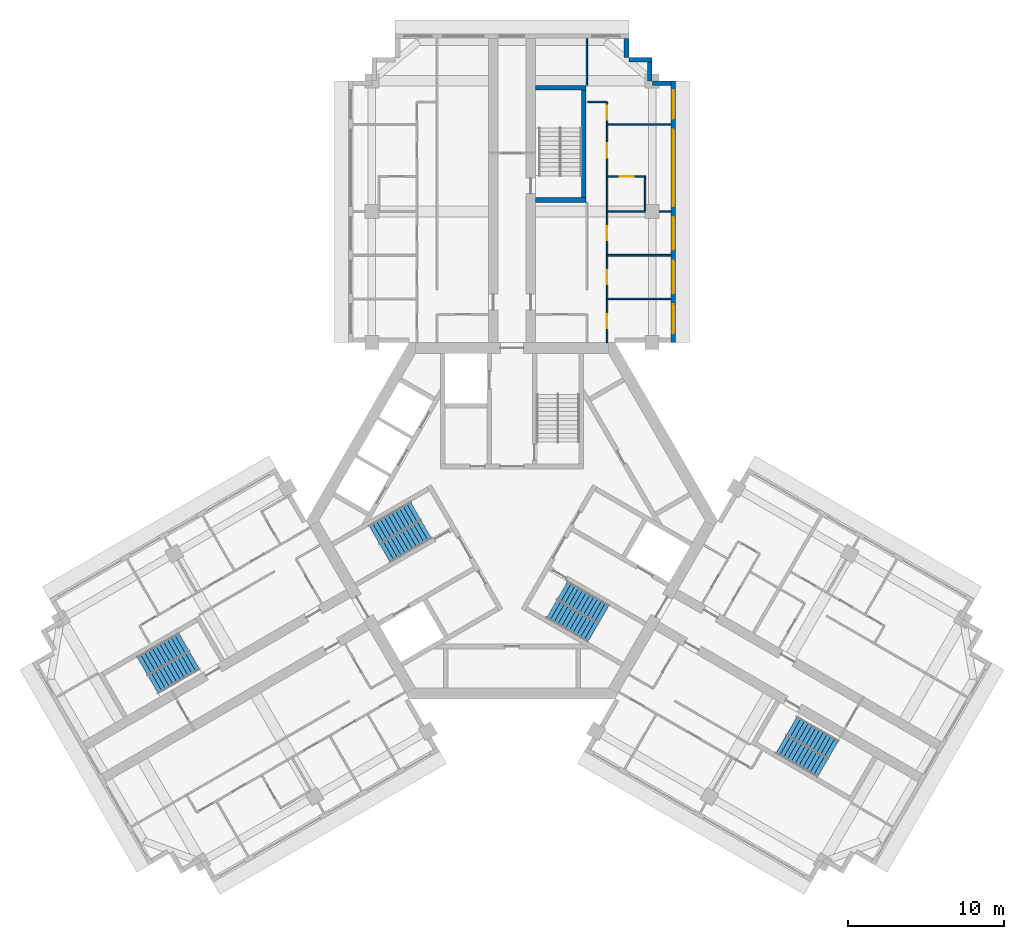
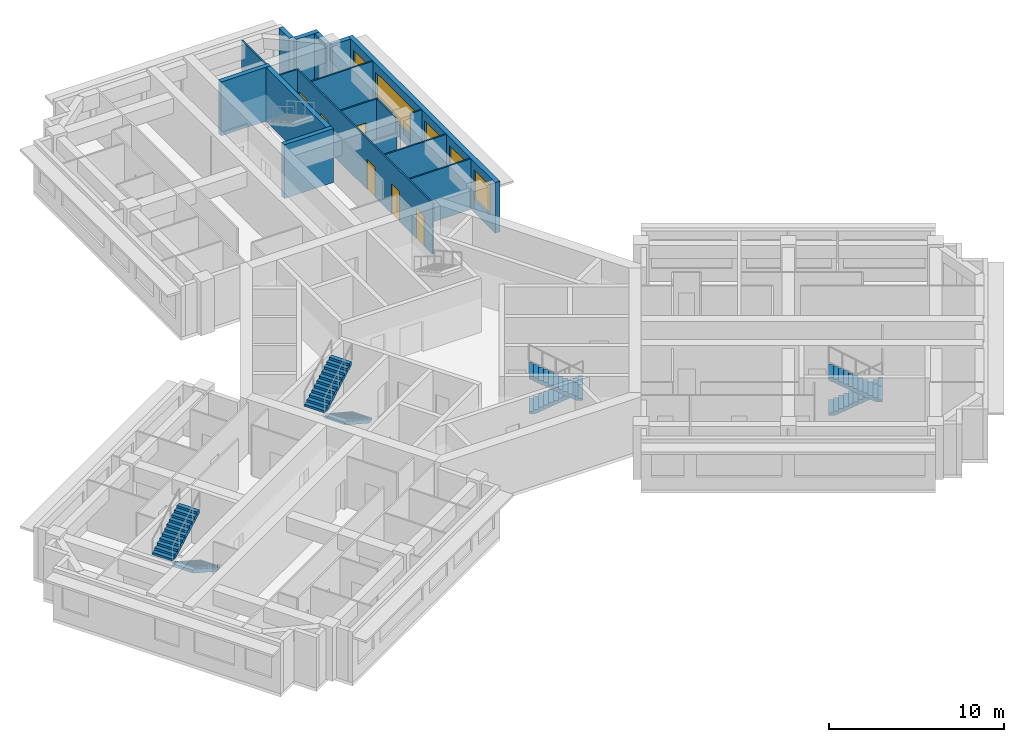
# One storey, part 8 of 10: 18 walls, 8 stair flights, 6 doors, 5 windows, 11 openings, 4 elements without a shape of their own.
"""IFC4 building model written with IfcOpenShell, lengths in metres."""

from ifc_helpers import new_model, si_unit, direction, frame, frame_2d, origin, place, context, subcontext, project, spatial, polyline, rectangle, outline, extrude, material, layer, layer_set, type_object, element, fill, aggregate, save


model = new_model("IFC4")

# Units and contexts
model_context = context("Model", 3, precision=1e-05, world=origin(), true_north=direction((0.0, 1.0)))
body_context = subcontext(model_context, "Body", "Model", "MODEL_VIEW")
ifc_project = project(units=[si_unit("LENGTHUNIT", "METRE"), si_unit("AREAUNIT", "SQUARE_METRE"), si_unit("VOLUMEUNIT", "CUBIC_METRE"), si_unit("PLANEANGLEUNIT", "RADIAN"), si_unit("MASSUNIT", "GRAM", prefix="KILO")], contexts=[model_context])

# Site, building, storey
site_placement = place(None, origin())
site = spatial("IfcSite", under=ifc_project, at=site_placement, CompositionType="ELEMENT")
building_placement = place(site_placement, origin())
building = spatial("IfcBuilding", under=site, at=building_placement, Name="Impinga Residences", CompositionType="ELEMENT")
storey_placement = place(building_placement, frame((0.0, 0.0, 263.5)))
storey = spatial("IfcBuildingStorey", under=building, at=storey_placement, Name="L66", CompositionType="ELEMENT", Elevation=263.5)

# Walls
ifc_material_1 = material(Name="Terracotta rainscreen on blockwork", Category="masonry")
ifc_layer_1 = layer(ifc_material_1, 0.300048828125)
ifc_layer_set_1 = layer_set([ifc_layer_1], Name="EW1 external wall, terracotta rainscreen on blockwork 300")
wall_type_1 = type_object("IfcWallType", Name="EW1 external wall, terracotta rainscreen on blockwork 300", PredefinedType="SOLIDWALL", material=ifc_layer_set_1)
wall_1_placement = place(storey_placement, frame((7.35009765625, 30.931640625, 0.0), z_axis=(0.0, 0.0, 1.0), x_axis=(0.0, -1.0, 0.0)))
element("IfcWall", 1, at=wall_1_placement, inside=storey, type_object=wall_type_1, Name="External wall EW1 L66", PredefinedType="SOLIDWALL", context=body_context, shape_type="SweptSolid", body=[
    extrude(rectangle(XDim=1.195068359375, YDim=0.300048828125, at=frame_2d((0.59765625, 0.0))), origin(), (0.0, 0.0, 1.0), 3.530029296875),
])
wall_2_placement = place(storey_placement, frame((7.5, 29.58154296875, 0.0), z_axis=(0.0, 0.0, 1.0), x_axis=(1.0, 0.0, 0.0)))
element("IfcWall", 2, at=wall_2_placement, inside=storey, type_object=wall_type_1, Name="External wall EW1 L66", PredefinedType="SOLIDWALL", context=body_context, shape_type="SweptSolid", body=[
    extrude(rectangle(XDim=1.5, YDim=0.300048828125, at=frame_2d((0.75, 0.0))), origin(), (0.0, 0.0, 1.0), 3.530029296875),
])
wall_3_placement = place(storey_placement, frame((8.85009765625, 29.431640625, 0.0), z_axis=(0.0, 0.0, 1.0), x_axis=(0.0, -1.0, 0.0)))
element("IfcWall", 3, at=wall_3_placement, inside=storey, type_object=wall_type_1, Name="External wall EW1 L66", PredefinedType="SOLIDWALL", context=body_context, shape_type="SweptSolid", body=[
    extrude(rectangle(XDim=1.2001953125, YDim=0.300048828125, at=frame_2d((0.60009765625, 0.0))), origin(), (0.0, 0.0, 1.0), 3.530029296875),
])
wall_4_placement = place(storey_placement, frame((9.0048828125, 28.08154296875, 0.0), z_axis=(0.0, 0.0, 1.0), x_axis=(1.0, 0.0, 0.0)))
element("IfcWall", 4, at=wall_4_placement, inside=storey, type_object=wall_type_1, Name="External wall EW1 L66", PredefinedType="SOLIDWALL", context=body_context, shape_type="SweptSolid", body=[
    extrude(rectangle(XDim=1.195068359375, YDim=0.300048828125, at=frame_2d((0.59765625, 0.0))), origin(), (0.0, 0.0, 1.0), 3.530029296875),
])

# Wall, openings, windows
wall_5_placement = place(storey_placement, frame((10.35009765625, 28.2314453125, 0.0), z_axis=(0.0, 0.0, 1.0), x_axis=(0.0, -1.0, 0.0)))
wall_5 = element("IfcWall", 5, at=wall_5_placement, inside=storey, type_object=wall_type_1, Name="External wall EW1 L66", PredefinedType="SOLIDWALL", context=body_context, shape_type="SweptSolid", body=[
    extrude(rectangle(XDim=16.7998046875, YDim=0.300048828125, at=frame_2d((8.39990234375, 0.0))), origin(), (0.0, 0.0, 1.0), 3.530029296875),
])
opening_1_placement = place(wall_5_placement, frame((0.60009765625, 0.0, 0.89990234375)))
opening_1 = element("IfcOpeningElement", 6, at=opening_1_placement, cuts=wall_5, Name="Opening W15", PredefinedType="OPENING", context=body_context, shape_type="SweptSolid", body=[
    extrude(rectangle(XDim=1.85009765625, YDim=2.050048828125, at=frame_2d((0.925048828125, 1.02490234375))), frame((0.0, 0.159912109375, 0.0), z_axis=(0.0, -1.0, 0.0), x_axis=(1.0, 0.0, 0.0)), (0.0, 0.0, 1.0), 0.320068359375),
])
opening_2_placement = place(wall_5_placement, frame((3.14990234375, 0.0, 0.89990234375)))
opening_2 = element("IfcOpeningElement", 7, at=opening_2_placement, cuts=wall_5, Name="Opening W16", PredefinedType="OPENING", context=body_context, shape_type="SweptSolid", body=[
    extrude(rectangle(XDim=4.89990234375, YDim=2.050048828125, at=frame_2d((2.449951171875, 1.02490234375))), frame((0.0, 0.159912109375, 0.0), z_axis=(0.0, -1.0, 0.0), x_axis=(1.0, 0.0, 0.0)), (0.0, 0.0, 1.0), 0.320068359375),
])
opening_3_placement = place(wall_5_placement, frame((8.75, 0.0, 0.89990234375)))
opening_3 = element("IfcOpeningElement", 8, at=opening_3_placement, cuts=wall_5, Name="Opening W9", PredefinedType="OPENING", context=body_context, shape_type="SweptSolid", body=[
    extrude(rectangle(XDim=2.10009765625, YDim=2.050048828125, at=frame_2d((1.050048828125, 1.02490234375))), frame((0.0, 0.159912109375, 0.0), z_axis=(0.0, -1.0, 0.0), x_axis=(1.0, 0.0, 0.0)), (0.0, 0.0, 1.0), 0.320068359375),
])
opening_4_placement = place(wall_5_placement, frame((11.550048828125, 0.0, 0.89990234375)))
opening_4 = element("IfcOpeningElement", 9, at=opening_4_placement, cuts=wall_5, Name="Opening W9", PredefinedType="OPENING", context=body_context, shape_type="SweptSolid", body=[
    extrude(rectangle(XDim=2.10009765625, YDim=2.050048828125, at=frame_2d((1.050048828125, 1.02490234375))), frame((0.0, 0.159912109375, 0.0), z_axis=(0.0, -1.0, 0.0), x_axis=(1.0, 0.0, 0.0)), (0.0, 0.0, 1.0), 0.320068359375),
])
opening_5_placement = place(wall_5_placement, frame((14.35009765625, 0.0, 0.89990234375)))
opening_5 = element("IfcOpeningElement", 10, at=opening_5_placement, cuts=wall_5, Name="Opening W15", PredefinedType="OPENING", context=body_context, shape_type="SweptSolid", body=[
    extrude(rectangle(XDim=1.85009765625, YDim=2.050048828125, at=frame_2d((0.925048828125, 1.02490234375))), frame((0.0, 0.159912109375, 0.0), z_axis=(0.0, -1.0, 0.0), x_axis=(1.0, 0.0, 0.0)), (0.0, 0.0, 1.0), 0.320068359375),
])
ifc_material_2 = material(Name="Aluminium window, clear double glazing", Category="aluminium")
window_type_1 = type_object("IfcWindowType", Name="W15 ribbon window 1850x2050", PartitioningType="SINGLE_PANEL", PredefinedType="WINDOW", material=ifc_material_2)
window_1_placement = place(opening_1_placement, origin())
window_1 = element("IfcWindow", 11, at=window_1_placement, inside=storey, type_object=window_type_1, Name="Window L66", OverallHeight=2.050048828125, OverallWidth=1.85009765625, PartitioningType="SINGLE_PANEL", PredefinedType="WINDOW", context=body_context, shape_type="SweptSolid", body=[
    extrude(rectangle(XDim=1.85009765625, YDim=2.050048828125, at=frame_2d((0.925048828125, 1.02490234375))), frame((0.0, 0.030029296875, 0.0), z_axis=(0.0, -1.0, 0.0), x_axis=(1.0, 0.0, 0.0)), (0.0, 0.0, 1.0), 0.06005859375),
])
fill(opening_1, window_1)
window_2_placement = place(opening_5_placement, origin())
window_2 = element("IfcWindow", 12, at=window_2_placement, inside=storey, type_object=window_type_1, Name="Window L66", OverallHeight=2.050048828125, OverallWidth=1.85009765625, PartitioningType="SINGLE_PANEL", PredefinedType="WINDOW", context=body_context, shape_type="SweptSolid", body=[
    extrude(rectangle(XDim=1.85009765625, YDim=2.050048828125, at=frame_2d((0.925048828125, 1.02490234375))), frame((0.0, 0.030029296875, 0.0), z_axis=(0.0, -1.0, 0.0), x_axis=(1.0, 0.0, 0.0)), (0.0, 0.0, 1.0), 0.06005859375),
])
fill(opening_5, window_2)
window_type_2 = type_object("IfcWindowType", Name="W16 ribbon window 4900x2050", PartitioningType="SINGLE_PANEL", PredefinedType="WINDOW", material=ifc_material_2)
window_3_placement = place(opening_2_placement, origin())
window_3 = element("IfcWindow", 13, at=window_3_placement, inside=storey, type_object=window_type_2, Name="Window L66", OverallHeight=2.050048828125, OverallWidth=4.89990234375, PartitioningType="SINGLE_PANEL", PredefinedType="WINDOW", context=body_context, shape_type="SweptSolid", body=[
    extrude(rectangle(XDim=4.89990234375, YDim=2.050048828125, at=frame_2d((2.449951171875, 1.02490234375))), frame((0.0, 0.030029296875, 0.0), z_axis=(0.0, -1.0, 0.0), x_axis=(1.0, 0.0, 0.0)), (0.0, 0.0, 1.0), 0.06005859375),
])
fill(opening_2, window_3)
window_type_3 = type_object("IfcWindowType", Name="W9 ribbon window 2100x2050", PartitioningType="SINGLE_PANEL", PredefinedType="WINDOW", material=ifc_material_2)
window_4_placement = place(opening_3_placement, origin())
window_4 = element("IfcWindow", 14, at=window_4_placement, inside=storey, type_object=window_type_3, Name="Window L66", OverallHeight=2.050048828125, OverallWidth=2.10009765625, PartitioningType="SINGLE_PANEL", PredefinedType="WINDOW", context=body_context, shape_type="SweptSolid", body=[
    extrude(rectangle(XDim=2.10009765625, YDim=2.050048828125, at=frame_2d((1.050048828125, 1.02490234375))), frame((0.0, 0.030029296875, 0.0), z_axis=(0.0, -1.0, 0.0), x_axis=(1.0, 0.0, 0.0)), (0.0, 0.0, 1.0), 0.06005859375),
])
fill(opening_3, window_4)
window_5_placement = place(opening_4_placement, origin())
window_5 = element("IfcWindow", 15, at=window_5_placement, inside=storey, type_object=window_type_3, Name="Window L66", OverallHeight=2.050048828125, OverallWidth=2.10009765625, PartitioningType="SINGLE_PANEL", PredefinedType="WINDOW", context=body_context, shape_type="SweptSolid", body=[
    extrude(rectangle(XDim=2.10009765625, YDim=2.050048828125, at=frame_2d((1.050048828125, 1.02490234375))), frame((0.0, 0.030029296875, 0.0), z_axis=(0.0, -1.0, 0.0), x_axis=(1.0, 0.0, 0.0)), (0.0, 0.0, 1.0), 0.06005859375),
])
fill(opening_4, window_5)

# Wall
ifc_material_3 = material(Name="Gypsum board on steel studs", Category="steel")
ifc_layer_2 = layer(ifc_material_3, 0.10009765625)
ifc_layer_set_2 = layer_set([ifc_layer_2], Name="Gypsum board on steel studs")
wall_type_2 = type_object("IfcWallType", Name="IP1 partition 100", PredefinedType="PARTITIONING", material=ifc_layer_set_2)
wall_6_placement = place(storey_placement, frame((4.800048828125, 27.931640625, 0.0), z_axis=(0.0, 0.0, 1.0), x_axis=(0.0, 1.0, 0.0)))
element("IfcWall", 16, at=wall_6_placement, inside=storey, type_object=wall_type_2, Name="Partition L66-NF1:DIV2", PredefinedType="PARTITIONING", context=body_context, shape_type="SweptSolid", body=[
    extrude(rectangle(XDim=3.0, YDim=0.10009765625, at=frame_2d((1.5, 0.0))), origin(), (0.0, 0.0, 1.0), 3.530029296875),
])

# Wall, openings, doors
wall_7_placement = place(storey_placement, frame((6.10009765625, 11.431640625, 0.0), z_axis=(0.0, 0.0, 1.0), x_axis=(0.0, 1.0, 0.0)))
wall_7 = element("IfcWall", 17, at=wall_7_placement, inside=storey, type_object=wall_type_2, Name="Partition L66-NF1:STRIP", PredefinedType="PARTITIONING", context=body_context, shape_type="SweptSolid", body=[
    extrude(rectangle(XDim=15.449951171875, YDim=0.10009765625, at=frame_2d((7.72509765625, 0.0))), origin(), (0.0, 0.0, 1.0), 3.530029296875),
])
opening_6_placement = place(wall_7_placement, frame((0.925048828125, 0.0, 0.0)))
opening_6 = element("IfcOpeningElement", 18, at=opening_6_placement, cuts=wall_7, Name="Opening D2", PredefinedType="OPENING", context=body_context, shape_type="SweptSolid", body=[
    extrude(rectangle(XDim=0.89990234375, YDim=2.10009765625, at=frame_2d((0.449951171875, 1.050048828125))), frame((0.0, 0.06005859375, 0.0), z_axis=(0.0, -1.0, 0.0), x_axis=(1.0, 0.0, 0.0)), (0.0, 0.0, 1.0), 0.1201171875),
])
opening_7_placement = place(wall_7_placement, frame((3.75, 0.0, 0.0)))
opening_7 = element("IfcOpeningElement", 19, at=opening_7_placement, cuts=wall_7, Name="Opening D2", PredefinedType="OPENING", context=body_context, shape_type="SweptSolid", body=[
    extrude(rectangle(XDim=0.89990234375, YDim=2.10009765625, at=frame_2d((0.449951171875, 1.050048828125))), frame((0.0, 0.06005859375, 0.0), z_axis=(0.0, -1.0, 0.0), x_axis=(1.0, 0.0, 0.0)), (0.0, 0.0, 1.0), 0.1201171875),
])
opening_8_placement = place(wall_7_placement, frame((6.550048828125, 0.0, 0.0)))
opening_8 = element("IfcOpeningElement", 20, at=opening_8_placement, cuts=wall_7, Name="Opening D2", PredefinedType="OPENING", context=body_context, shape_type="SweptSolid", body=[
    extrude(rectangle(XDim=0.89990234375, YDim=2.10009765625, at=frame_2d((0.449951171875, 1.050048828125))), frame((0.0, 0.06005859375, 0.0), z_axis=(0.0, -1.0, 0.0), x_axis=(1.0, 0.0, 0.0)), (0.0, 0.0, 1.0), 0.1201171875),
])
opening_9_placement = place(wall_7_placement, frame((11.875, 0.0, 0.0)))
opening_9 = element("IfcOpeningElement", 21, at=opening_9_placement, cuts=wall_7, Name="Opening D2", PredefinedType="OPENING", context=body_context, shape_type="SweptSolid", body=[
    extrude(rectangle(XDim=0.89990234375, YDim=2.10009765625, at=frame_2d((0.449951171875, 1.050048828125))), frame((0.0, 0.06005859375, 0.0), z_axis=(0.0, -1.0, 0.0), x_axis=(1.0, 0.0, 0.0)), (0.0, 0.0, 1.0), 0.1201171875),
])
opening_10_placement = place(wall_7_placement, frame((14.300048828125, 0.0, 0.0)))
opening_10 = element("IfcOpeningElement", 22, at=opening_10_placement, cuts=wall_7, Name="Opening D2", PredefinedType="OPENING", context=body_context, shape_type="SweptSolid", body=[
    extrude(rectangle(XDim=0.89990234375, YDim=2.10009765625, at=frame_2d((0.449951171875, 1.050048828125))), frame((0.0, 0.06005859375, 0.0), z_axis=(0.0, -1.0, 0.0), x_axis=(1.0, 0.0, 0.0)), (0.0, 0.0, 1.0), 0.1201171875),
])
ifc_material_4 = material(Name="Timber door set", Category="wood")
door_type = type_object("IfcDoorType", Name="D2 internal door 900x2100", OperationType="SINGLE_SWING_LEFT", PredefinedType="DOOR", material=ifc_material_4)
door_1_placement = place(opening_6_placement, origin())
door_1 = element("IfcDoor", 23, at=door_1_placement, inside=storey, type_object=door_type, Name="Apartment L66-NF1 room door", OperationType="SINGLE_SWING_LEFT", OverallHeight=2.10009765625, OverallWidth=0.89990234375, PredefinedType="DOOR", context=body_context, shape_type="SweptSolid", body=[
    extrude(rectangle(XDim=0.89990234375, YDim=2.10009765625, at=frame_2d((0.449951171875, 1.050048828125))), frame((0.0, 0.02490234375, 0.0), z_axis=(0.0, -1.0, 0.0), x_axis=(1.0, 0.0, 0.0)), (0.0, 0.0, 1.0), 0.050048828125),
])
fill(opening_6, door_1)
door_2_placement = place(opening_7_placement, origin())
door_2 = element("IfcDoor", 24, at=door_2_placement, inside=storey, type_object=door_type, Name="Apartment L66-NF1 room door", OperationType="SINGLE_SWING_LEFT", OverallHeight=2.10009765625, OverallWidth=0.89990234375, PredefinedType="DOOR", context=body_context, shape_type="SweptSolid", body=[
    extrude(rectangle(XDim=0.89990234375, YDim=2.10009765625, at=frame_2d((0.449951171875, 1.050048828125))), frame((0.0, 0.02490234375, 0.0), z_axis=(0.0, -1.0, 0.0), x_axis=(1.0, 0.0, 0.0)), (0.0, 0.0, 1.0), 0.050048828125),
])
fill(opening_7, door_2)
door_3_placement = place(opening_8_placement, origin())
door_3 = element("IfcDoor", 25, at=door_3_placement, inside=storey, type_object=door_type, Name="Apartment L66-NF1 room door", OperationType="SINGLE_SWING_LEFT", OverallHeight=2.10009765625, OverallWidth=0.89990234375, PredefinedType="DOOR", context=body_context, shape_type="SweptSolid", body=[
    extrude(rectangle(XDim=0.89990234375, YDim=2.10009765625, at=frame_2d((0.449951171875, 1.050048828125))), frame((0.0, 0.02490234375, 0.0), z_axis=(0.0, -1.0, 0.0), x_axis=(1.0, 0.0, 0.0)), (0.0, 0.0, 1.0), 0.050048828125),
])
fill(opening_8, door_3)
door_4_placement = place(opening_9_placement, origin())
door_4 = element("IfcDoor", 26, at=door_4_placement, inside=storey, type_object=door_type, Name="Apartment L66-NF1 room door", OperationType="SINGLE_SWING_RIGHT", OverallHeight=2.10009765625, OverallWidth=0.89990234375, PredefinedType="DOOR", context=body_context, shape_type="SweptSolid", body=[
    extrude(rectangle(XDim=0.89990234375, YDim=2.10009765625, at=frame_2d((0.449951171875, 1.050048828125))), frame((0.0, 0.02490234375, 0.0), z_axis=(0.0, -1.0, 0.0), x_axis=(1.0, 0.0, 0.0)), (0.0, 0.0, 1.0), 0.050048828125),
])
fill(opening_9, door_4)
door_5_placement = place(opening_10_placement, origin())
door_5 = element("IfcDoor", 27, at=door_5_placement, inside=storey, type_object=door_type, Name="Apartment L66-NF1 room door", OperationType="SINGLE_SWING_RIGHT", OverallHeight=2.10009765625, OverallWidth=0.89990234375, PredefinedType="DOOR", context=body_context, shape_type="SweptSolid", body=[
    extrude(rectangle(XDim=0.89990234375, YDim=2.10009765625, at=frame_2d((0.449951171875, 1.050048828125))), frame((0.0, 0.02490234375, 0.0), z_axis=(0.0, -1.0, 0.0), x_axis=(1.0, 0.0, 0.0)), (0.0, 0.0, 1.0), 0.050048828125),
])
fill(opening_10, door_5)

# Walls
wall_8_placement = place(storey_placement, frame((4.85009765625, 26.881591796875, 0.0), z_axis=(0.0, 0.0, 1.0), x_axis=(1.0, 0.0, 0.0)))
element("IfcWall", 28, at=wall_8_placement, inside=storey, type_object=wall_type_2, Name="Partition L66-NF1:SE1", PredefinedType="PARTITIONING", context=body_context, shape_type="SweptSolid", body=[
    extrude(rectangle(XDim=1.199951171875, YDim=0.10009765625, at=frame_2d((0.60009765625, 0.0))), origin(), (0.0, 0.0, 1.0), 3.530029296875),
])
for number, where, z_axis, x_axis, name in (
    (29, (6.14990234375, 14.2314453125, 0.0), (0.0, 0.0, 1.0), (1.0, 0.0, 0.0), "Partition L66-NF1:OB1"),
    (30, (6.14990234375, 17.031494140625, 0.0), (0.0, 0.0, 1.0), (1.0, 0.0, 0.0), "Partition L66-NF1:OB2"),
):
    element("IfcWall", number, at=place(storey_placement, frame(where, z_axis=z_axis, x_axis=x_axis)), inside=storey, type_object=wall_type_2, Name=name, PredefinedType="PARTITIONING", context=body_context, shape_type="SweptSolid", body=[
        extrude(rectangle(XDim=4.050048828125, YDim=0.10009765625, at=frame_2d((2.02490234375, 0.0))), origin(), (0.0, 0.0, 1.0), 3.530029296875),
    ])
wall_9_placement = place(storey_placement, frame((6.14990234375, 19.83154296875, 0.0), z_axis=(0.0, 0.0, 1.0), x_axis=(1.0, 0.0, 0.0)))
element("IfcWall", 31, at=wall_9_placement, inside=storey, type_object=wall_type_2, Name="Partition L66-NF1:OB3", PredefinedType="PARTITIONING", context=body_context, shape_type="SweptSolid", body=[
    extrude(rectangle(XDim=2.400146484375, YDim=0.10009765625, at=frame_2d((1.2001953125, 0.0))), origin(), (0.0, 0.0, 1.0), 2.47998046875),
])
wall_10_placement = place(storey_placement, frame((9.449951171875, 19.83154296875, 0.0), z_axis=(0.0, 0.0, 1.0), x_axis=(1.0, 0.0, 0.0)))
element("IfcWall", 32, at=wall_10_placement, inside=storey, type_object=wall_type_2, Name="Partition L66-NF1:OB3b", PredefinedType="PARTITIONING", context=body_context, shape_type="SweptSolid", body=[
    extrude(rectangle(XDim=0.75, YDim=0.10009765625, at=frame_2d((0.375, 0.0))), origin(), (0.0, 0.0, 1.0), 3.530029296875),
])
wall_11_placement = place(storey_placement, frame((6.14990234375, 25.431640625, 0.0), z_axis=(0.0, 0.0, 1.0), x_axis=(1.0, 0.0, 0.0)))
element("IfcWall", 33, at=wall_11_placement, inside=storey, type_object=wall_type_2, Name="Partition L66-NF1:OB4", PredefinedType="PARTITIONING", context=body_context, shape_type="SweptSolid", body=[
    extrude(rectangle(XDim=4.050048828125, YDim=0.10009765625, at=frame_2d((2.02490234375, 0.0))), origin(), (0.0, 0.0, 1.0), 3.530029296875),
])

# Wall, opening, door
wall_12_placement = place(storey_placement, frame((6.14990234375, 22.08154296875, 0.0), z_axis=(0.0, 0.0, 1.0), x_axis=(1.0, 0.0, 0.0)))
wall_12 = element("IfcWall", 34, at=wall_12_placement, inside=storey, type_object=wall_type_2, Name="Partition L66-NF1:EN1", PredefinedType="PARTITIONING", context=body_context, shape_type="SweptSolid", body=[
    extrude(rectangle(XDim=2.4501953125, YDim=0.10009765625, at=frame_2d((1.22509765625, 0.0))), origin(), (0.0, 0.0, 1.0), 3.530029296875),
])
opening_11_placement = place(wall_12_placement, frame((0.75, 0.0, 0.0)))
opening_11 = element("IfcOpeningElement", 35, at=opening_11_placement, cuts=wall_12, Name="Opening D2", PredefinedType="OPENING", context=body_context, shape_type="SweptSolid", body=[
    extrude(rectangle(XDim=0.89990234375, YDim=2.10009765625, at=frame_2d((0.449951171875, 1.050048828125))), frame((0.0, 0.06005859375, 0.0), z_axis=(0.0, -1.0, 0.0), x_axis=(1.0, 0.0, 0.0)), (0.0, 0.0, 1.0), 0.1201171875),
])
door_6_placement = place(opening_11_placement, origin())
door_6 = element("IfcDoor", 36, at=door_6_placement, inside=storey, type_object=door_type, Name="Apartment L66-NF1 en-suite door", OperationType="SINGLE_SWING_LEFT", OverallHeight=2.10009765625, OverallWidth=0.89990234375, PredefinedType="DOOR", context=body_context, shape_type="SweptSolid", body=[
    extrude(rectangle(XDim=0.89990234375, YDim=2.10009765625, at=frame_2d((0.449951171875, 1.050048828125))), frame((0.0, 0.02490234375, 0.0), z_axis=(0.0, -1.0, 0.0), x_axis=(1.0, 0.0, 0.0)), (0.0, 0.0, 1.0), 0.050048828125),
])
fill(opening_11, door_6)

# Walls
wall_13_placement = place(storey_placement, frame((8.550048828125, 19.881591796875, 0.0), z_axis=(0.0, 0.0, 1.0), x_axis=(0.0, 1.0, 0.0)))
element("IfcWall", 37, at=wall_13_placement, inside=storey, type_object=wall_type_2, Name="Partition L66-NF1:EN2", PredefinedType="PARTITIONING", context=body_context, shape_type="SweptSolid", body=[
    extrude(rectangle(XDim=2.14990234375, YDim=0.10009765625, at=frame_2d((1.074951171875, 0.0))), origin(), (0.0, 0.0, 1.0), 3.530029296875),
])
ifc_material_5 = material(Name="Concrete C60/75", Category="concrete")
ifc_layer_3 = layer(ifc_material_5, 0.300048828125)
ifc_layer_set_3 = layer_set([ifc_layer_3], Name="Concrete C60/75")
wall_type_3 = type_object("IfcWallType", Name="SE1 wing stair enclosure wall 300", PredefinedType="SOLIDWALL", material=ifc_layer_set_3)
for number, where, z_axis, x_axis, name in (
    (38, (1.5, 20.58154296875, 0.0), (0.0, 0.0, 1.0), (1.0, 0.0, 0.0), "Stair enclosure wall SE1 N END0 L66"),
    (39, (1.5, 27.781494140625, 0.0), (0.0, 0.0, 1.0), (1.0, 0.0, 0.0), "Stair enclosure wall SE1 N END1 L66"),
):
    element("IfcWall", number, at=place(storey_placement, frame(where, z_axis=z_axis, x_axis=x_axis)), inside=storey, type_object=wall_type_3, Name=name, PredefinedType="SOLIDWALL", context=body_context, shape_type="SweptSolid", body=[
        extrude(rectangle(XDim=3.25, YDim=0.300048828125, at=frame_2d((1.625, 0.0))), origin(), (0.0, 0.0, 1.0), 3.75),
    ])
wall_14_placement = place(storey_placement, frame((4.60009765625, 20.7314453125, 0.0), z_axis=(0.0, 0.0, 1.0), x_axis=(0.0, 1.0, 0.0)))
element("IfcWall", 40, at=wall_14_placement, inside=storey, type_object=wall_type_3, Name="Stair enclosure wall SE1 N OUT L66", PredefinedType="SOLIDWALL", context=body_context, shape_type="SweptSolid", body=[
    extrude(rectangle(XDim=6.900146484375, YDim=0.300048828125, at=frame_2d((3.4501953125, 0.0))), origin(), (0.0, 0.0, 1.0), 3.75),
])

# Stair, stair flights
ifc_material_6 = material(Name="Concrete C40/50", Category="concrete")
stair_type_1 = type_object("IfcStairType", Name="STR core stair 3750 storey, 24 risers", PredefinedType="HALF_TURN_STAIR", material=ifc_material_6)
stair_1_placement = place(storey_placement, origin())
stair_1 = element("IfcStair", 41, at=stair_1_placement, inside=storey, type_object=stair_type_1, Name="Stair ST2 L66", PredefinedType="HALF_TURN_STAIR")
stair_flight_type = type_object("IfcStairFlightType", Name="SF 12 risers of 156", PredefinedType="STRAIGHT", material=ifc_material_6)
stair_flight_1_placement = place(storey_placement, frame((-5.49365234375, -0.544677734375, 0.0), z_axis=(0.0, 0.0, 1.0), x_axis=(-0.866025403784, -0.5, 0.0)))
stair_flight_1 = element("IfcStairFlight", 42, at=stair_flight_1_placement, type_object=stair_flight_type, Name="ST2 flight 1", NumberOfRisers=12, NumberOfTreads=11, PredefinedType="STRAIGHT", RiserHeight=0.15625, TreadLength=0.28, context=body_context, shape_type="SweptSolid", body=[
    extrude(outline(polyline([(0.0, 0.0), (0.0, 0.15625), (0.280029296875, 0.15625), (0.280029296875, 0.3125), (0.56005859375, 0.3125), (0.56005859375, 0.46875), (0.840087890625, 0.46875), (0.840087890625, 0.625), (1.1201171875, 0.625), (1.1201171875, 0.78125), (1.39990234375, 0.78125), (1.39990234375, 0.9375), (1.679931640625, 0.9375), (1.679931640625, 1.09375), (1.9599609375, 1.09375), (1.9599609375, 1.25), (2.239990234375, 1.25), (2.239990234375, 1.40625), (2.52001953125, 1.40625), (2.52001953125, 1.5625), (2.800048828125, 1.5625), (2.800048828125, 1.71875), (3.080078125, 1.71875), (3.080078125, 1.875), (3.080078125, 1.5126953125), (0.369140625, 0.0), (0.0, 0.0)])), frame((0.0, 0.675048828125, 0.0), z_axis=(0.0, -1.0, 0.0), x_axis=(1.0, 0.0, 0.0)), (0.0, 0.0, 1.0), 1.35009765625),
])
stair_flight_2_placement = place(storey_placement, frame((-8.8359375, -0.915771484375, 1.875), z_axis=(0.0, 0.0, 1.0), x_axis=(0.866025403784, 0.5, 0.0)))
stair_flight_2 = element("IfcStairFlight", 43, at=stair_flight_2_placement, type_object=stair_flight_type, Name="ST2 flight 2", NumberOfRisers=12, NumberOfTreads=11, PredefinedType="STRAIGHT", RiserHeight=0.15625, TreadLength=0.28, context=body_context, shape_type="SweptSolid", body=[
    extrude(outline(polyline([(0.0, 0.0), (0.0, 0.15625), (0.280029296875, 0.15625), (0.280029296875, 0.3125), (0.56005859375, 0.3125), (0.56005859375, 0.46875), (0.840087890625, 0.46875), (0.840087890625, 0.625), (1.1201171875, 0.625), (1.1201171875, 0.78125), (1.39990234375, 0.78125), (1.39990234375, 0.9375), (1.679931640625, 0.9375), (1.679931640625, 1.09375), (1.9599609375, 1.09375), (1.9599609375, 1.25), (2.239990234375, 1.25), (2.239990234375, 1.40625), (2.52001953125, 1.40625), (2.52001953125, 1.5625), (2.800048828125, 1.5625), (2.800048828125, 1.71875), (3.080078125, 1.71875), (3.080078125, 1.875), (3.080078125, 1.5126953125), (0.369140625, 0.0), (0.0, 0.0)])), frame((0.0, 0.675048828125, 0.0), z_axis=(0.0, -1.0, 0.0), x_axis=(1.0, 0.0, 0.0)), (0.0, 0.0, 1.0), 1.35009765625),
])
aggregate(stair_1, [stair_flight_1, stair_flight_2])

stair_2_placement = place(storey_placement, origin())
stair_2 = element("IfcStair", 44, at=stair_2_placement, inside=storey, type_object=stair_type_1, Name="Stair ST3 L66", PredefinedType="HALF_TURN_STAIR")
stair_flight_3_placement = place(storey_placement, frame((3.218505859375, -4.485107421875, 0.0), z_axis=(0.0, 0.0, 1.0), x_axis=(0.866025403784, -0.5, 0.0)))
stair_flight_3 = element("IfcStairFlight", 45, at=stair_flight_3_placement, type_object=stair_flight_type, Name="ST3 flight 1", NumberOfRisers=12, NumberOfTreads=11, PredefinedType="STRAIGHT", RiserHeight=0.15625, TreadLength=0.28, context=body_context, shape_type="SweptSolid", body=[
    extrude(outline(polyline([(0.0, 0.0), (0.0, 0.15625), (0.280029296875, 0.15625), (0.280029296875, 0.3125), (0.56005859375, 0.3125), (0.56005859375, 0.46875), (0.840087890625, 0.46875), (0.840087890625, 0.625), (1.1201171875, 0.625), (1.1201171875, 0.78125), (1.39990234375, 0.78125), (1.39990234375, 0.9375), (1.679931640625, 0.9375), (1.679931640625, 1.09375), (1.9599609375, 1.09375), (1.9599609375, 1.25), (2.239990234375, 1.25), (2.239990234375, 1.40625), (2.52001953125, 1.40625), (2.52001953125, 1.5625), (2.800048828125, 1.5625), (2.800048828125, 1.71875), (3.080078125, 1.71875), (3.080078125, 1.875), (3.080078125, 1.5126953125), (0.369140625, 0.0), (0.0, 0.0)])), frame((0.0, 0.675048828125, 0.0), z_axis=(0.0, -1.0, 0.0), x_axis=(1.0, 0.0, 0.0)), (0.0, 0.0, 1.0), 1.35009765625),
])
stair_flight_4_placement = place(storey_placement, frame((5.2109375, -7.1943359375, 1.875), z_axis=(0.0, 0.0, 1.0), x_axis=(-0.866025403784, 0.5, 0.0)))
stair_flight_4 = element("IfcStairFlight", 46, at=stair_flight_4_placement, type_object=stair_flight_type, Name="ST3 flight 2", NumberOfRisers=12, NumberOfTreads=11, PredefinedType="STRAIGHT", RiserHeight=0.15625, TreadLength=0.28, context=body_context, shape_type="SweptSolid", body=[
    extrude(outline(polyline([(0.0, 0.0), (0.0, 0.15625), (0.280029296875, 0.15625), (0.280029296875, 0.3125), (0.56005859375, 0.3125), (0.56005859375, 0.46875), (0.840087890625, 0.46875), (0.840087890625, 0.625), (1.1201171875, 0.625), (1.1201171875, 0.78125), (1.39990234375, 0.78125), (1.39990234375, 0.9375), (1.679931640625, 0.9375), (1.679931640625, 1.09375), (1.9599609375, 1.09375), (1.9599609375, 1.25), (2.239990234375, 1.25), (2.239990234375, 1.40625), (2.52001953125, 1.40625), (2.52001953125, 1.5625), (2.800048828125, 1.5625), (2.800048828125, 1.71875), (3.080078125, 1.71875), (3.080078125, 1.875), (3.080078125, 1.5126953125), (0.369140625, 0.0), (0.0, 0.0)])), frame((0.0, 0.675048828125, 0.0), z_axis=(0.0, -1.0, 0.0), x_axis=(1.0, 0.0, 0.0)), (0.0, 0.0, 1.0), 1.35009765625),
])
aggregate(stair_2, [stair_flight_3, stair_flight_4])

stair_type_2 = type_object("IfcStairType", Name="STR wing stair 3750 storey, 24 risers", PredefinedType="HALF_TURN_STAIR", material=ifc_material_6)
stair_3_placement = place(storey_placement, origin())
stair_3 = element("IfcStair", 47, at=stair_3_placement, inside=storey, type_object=stair_type_2, Name="Stair WS2 L66", PredefinedType="HALF_TURN_STAIR")
stair_flight_5_placement = place(storey_placement, frame((-20.37890625, -8.965576171875, 0.0), z_axis=(0.0, 0.0, 1.0), x_axis=(-0.866025403784, -0.5, 0.0)))
stair_flight_5 = element("IfcStairFlight", 48, at=stair_flight_5_placement, type_object=stair_flight_type, Name="WS2 flight 1", NumberOfRisers=12, NumberOfTreads=11, PredefinedType="STRAIGHT", RiserHeight=0.15625, TreadLength=0.28, context=body_context, shape_type="SweptSolid", body=[
    extrude(outline(polyline([(0.0, 0.0), (0.0, 0.15625), (0.280029296875, 0.15625), (0.280029296875, 0.3125), (0.56005859375, 0.3125), (0.56005859375, 0.46875), (0.840087890625, 0.46875), (0.840087890625, 0.625), (1.1201171875, 0.625), (1.1201171875, 0.78125), (1.39990234375, 0.78125), (1.39990234375, 0.9375), (1.679931640625, 0.9375), (1.679931640625, 1.09375), (1.9599609375, 1.09375), (1.9599609375, 1.25), (2.239990234375, 1.25), (2.239990234375, 1.40625), (2.52001953125, 1.40625), (2.52001953125, 1.5625), (2.800048828125, 1.5625), (2.800048828125, 1.71875), (3.080078125, 1.71875), (3.080078125, 1.875), (3.080078125, 1.5126953125), (0.369140625, 0.0), (0.0, 0.0)])), frame((0.0, 0.675048828125, 0.0), z_axis=(0.0, -1.0, 0.0), x_axis=(1.0, 0.0, 0.0)), (0.0, 0.0, 1.0), 1.35009765625),
])
stair_flight_6_placement = place(storey_placement, frame((-23.721435546875, -9.33642578125, 1.875), z_axis=(0.0, 0.0, 1.0), x_axis=(0.866025403784, 0.5, 0.0)))
stair_flight_6 = element("IfcStairFlight", 49, at=stair_flight_6_placement, type_object=stair_flight_type, Name="WS2 flight 2", NumberOfRisers=12, NumberOfTreads=11, PredefinedType="STRAIGHT", RiserHeight=0.15625, TreadLength=0.28, context=body_context, shape_type="SweptSolid", body=[
    extrude(outline(polyline([(0.0, 0.0), (0.0, 0.15625), (0.280029296875, 0.15625), (0.280029296875, 0.3125), (0.56005859375, 0.3125), (0.56005859375, 0.46875), (0.840087890625, 0.46875), (0.840087890625, 0.625), (1.1201171875, 0.625), (1.1201171875, 0.78125), (1.39990234375, 0.78125), (1.39990234375, 0.9375), (1.679931640625, 0.9375), (1.679931640625, 1.09375), (1.9599609375, 1.09375), (1.9599609375, 1.25), (2.239990234375, 1.25), (2.239990234375, 1.40625), (2.52001953125, 1.40625), (2.52001953125, 1.5625), (2.800048828125, 1.5625), (2.800048828125, 1.71875), (3.080078125, 1.71875), (3.080078125, 1.875), (3.080078125, 1.5126953125), (0.369140625, 0.0), (0.0, 0.0)])), frame((0.0, 0.675048828125, 0.0), z_axis=(0.0, -1.0, 0.0), x_axis=(1.0, 0.0, 0.0)), (0.0, 0.0, 1.0), 1.35009765625),
])
aggregate(stair_3, [stair_flight_5, stair_flight_6])

stair_4_placement = place(storey_placement, origin())
stair_4 = element("IfcStair", 50, at=stair_4_placement, inside=storey, type_object=stair_type_2, Name="Stair WS3 L66", PredefinedType="HALF_TURN_STAIR")
stair_flight_7_placement = place(storey_placement, frame((17.953857421875, -13.165771484375, 0.0), z_axis=(0.0, 0.0, 1.0), x_axis=(0.866025403784, -0.5, 0.0)))
stair_flight_7 = element("IfcStairFlight", 51, at=stair_flight_7_placement, type_object=stair_flight_type, Name="WS3 flight 1", NumberOfRisers=12, NumberOfTreads=11, PredefinedType="STRAIGHT", RiserHeight=0.15625, TreadLength=0.28, context=body_context, shape_type="SweptSolid", body=[
    extrude(outline(polyline([(0.0, 0.0), (0.0, 0.15625), (0.280029296875, 0.15625), (0.280029296875, 0.3125), (0.56005859375, 0.3125), (0.56005859375, 0.46875), (0.840087890625, 0.46875), (0.840087890625, 0.625), (1.1201171875, 0.625), (1.1201171875, 0.78125), (1.39990234375, 0.78125), (1.39990234375, 0.9375), (1.679931640625, 0.9375), (1.679931640625, 1.09375), (1.9599609375, 1.09375), (1.9599609375, 1.25), (2.239990234375, 1.25), (2.239990234375, 1.40625), (2.52001953125, 1.40625), (2.52001953125, 1.5625), (2.800048828125, 1.5625), (2.800048828125, 1.71875), (3.080078125, 1.71875), (3.080078125, 1.875), (3.080078125, 1.5126953125), (0.369140625, 0.0), (0.0, 0.0)])), frame((0.0, 0.675048828125, 0.0), z_axis=(0.0, -1.0, 0.0), x_axis=(1.0, 0.0, 0.0)), (0.0, 0.0, 1.0), 1.35009765625),
])
stair_flight_8_placement = place(storey_placement, frame((19.9462890625, -15.875, 1.875), z_axis=(0.0, 0.0, 1.0), x_axis=(-0.866025403784, 0.5, 0.0)))
stair_flight_8 = element("IfcStairFlight", 52, at=stair_flight_8_placement, type_object=stair_flight_type, Name="WS3 flight 2", NumberOfRisers=12, NumberOfTreads=11, PredefinedType="STRAIGHT", RiserHeight=0.15625, TreadLength=0.28, context=body_context, shape_type="SweptSolid", body=[
    extrude(outline(polyline([(0.0, 0.0), (0.0, 0.15625), (0.280029296875, 0.15625), (0.280029296875, 0.3125), (0.56005859375, 0.3125), (0.56005859375, 0.46875), (0.840087890625, 0.46875), (0.840087890625, 0.625), (1.1201171875, 0.625), (1.1201171875, 0.78125), (1.39990234375, 0.78125), (1.39990234375, 0.9375), (1.679931640625, 0.9375), (1.679931640625, 1.09375), (1.9599609375, 1.09375), (1.9599609375, 1.25), (2.239990234375, 1.25), (2.239990234375, 1.40625), (2.52001953125, 1.40625), (2.52001953125, 1.5625), (2.800048828125, 1.5625), (2.800048828125, 1.71875), (3.080078125, 1.71875), (3.080078125, 1.875), (3.080078125, 1.5126953125), (0.369140625, 0.0), (0.0, 0.0)])), frame((0.0, 0.675048828125, 0.0), z_axis=(0.0, -1.0, 0.0), x_axis=(1.0, 0.0, 0.0)), (0.0, 0.0, 1.0), 1.35009765625),
])
aggregate(stair_4, [stair_flight_7, stair_flight_8])

save(model, "model.ifc")
